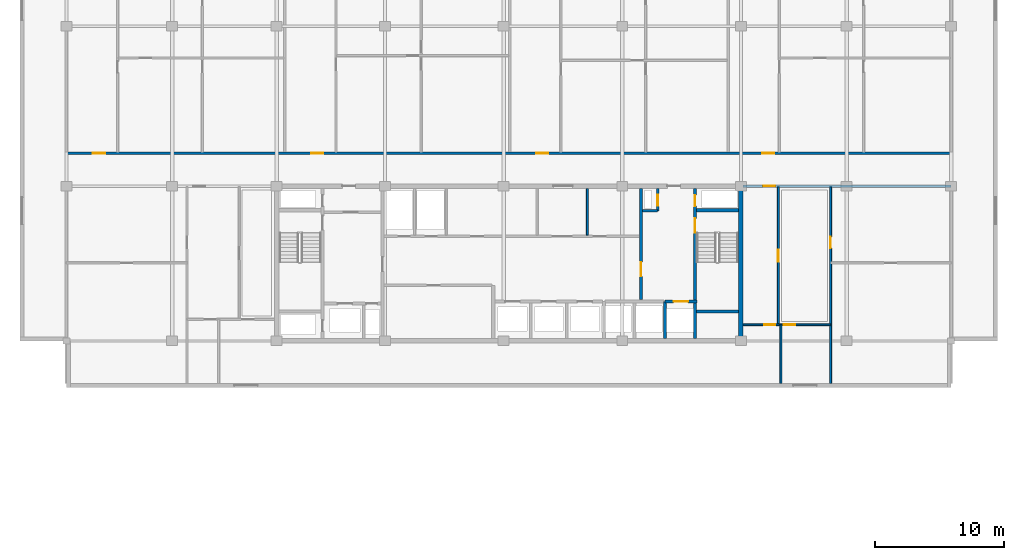
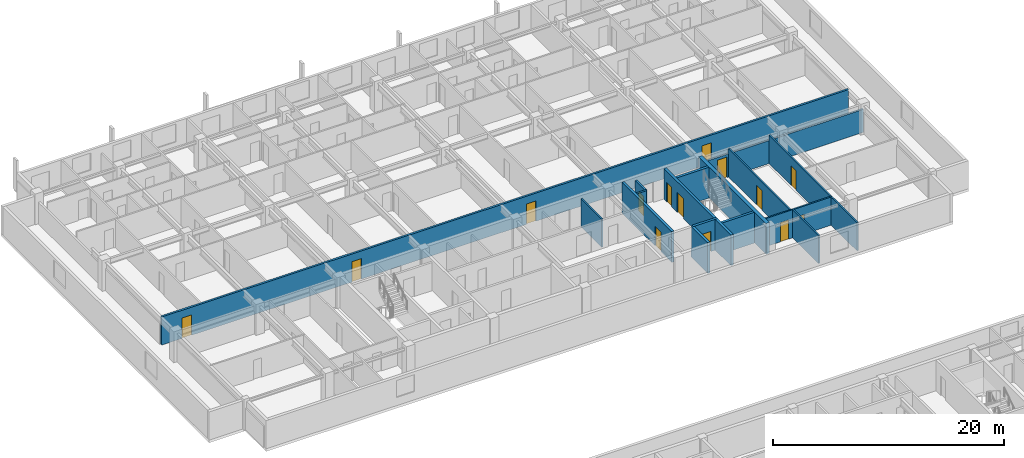
# One storey, part 13 of 24: 16 walls, 14 doors, 14 openings.
"""IFC4 building model written with IfcOpenShell, lengths in metres."""

from ifc_helpers import new_model, si_unit, direction, frame, frame_2d, origin, place, context, subcontext, project, spatial, rectangle, extrude, material, layer, layer_set, type_object, element, fill, save


model = new_model("IFC4")

# Units and contexts
model_context = context("Model", 3, precision=1e-05, world=origin(), true_north=direction((0.0, 1.0)))
body_context = subcontext(model_context, "Body", "Model", "MODEL_VIEW")
ifc_project = project(units=[si_unit("LENGTHUNIT", "METRE"), si_unit("AREAUNIT", "SQUARE_METRE"), si_unit("VOLUMEUNIT", "CUBIC_METRE"), si_unit("PLANEANGLEUNIT", "RADIAN"), si_unit("MASSUNIT", "GRAM", prefix="KILO")], contexts=[model_context])

# Site, building, storey
site_placement = place(None, origin())
site = spatial("IfcSite", under=ifc_project, at=site_placement, CompositionType="ELEMENT")
building_placement = place(site_placement, origin())
building = spatial("IfcBuilding", under=site, at=building_placement, Name="Korimba Cascade Residences", CompositionType="ELEMENT")
storey_placement = place(building_placement, frame((0.0, 0.0, 168.60009765625)))
storey = spatial("IfcBuildingStorey", under=building, at=storey_placement, Name="L48", CompositionType="ELEMENT", Elevation=168.60009765625)

# Wall
ifc_material_1 = material(Name="Concrete C65/80", Category="concrete")
ifc_layer_1 = layer(ifc_material_1, 0.35009765625)
ifc_layer_set_1 = layer_set([ifc_layer_1], Name="Concrete C65/80")
wall_type_1 = type_object("IfcWallType", Name="WAL-CORE-350", PredefinedType="SHEAR", material=ifc_layer_set_1)
wall_1_placement = place(storey_placement, frame((112.074951171875, 55.375, 0.0), z_axis=(0.0, 0.0, 1.0), x_axis=(0.0, 1.0, 0.0)))
element("IfcWall", 1, at=wall_1_placement, inside=storey, type_object=wall_type_1, Name="L48 Core Shear Wall CW-L48-T1-E", PredefinedType="SHEAR", context=body_context, shape_type="SweptSolid", body=[
    extrude(rectangle(XDim=11.64990234375, YDim=0.35009765625, at=frame_2d((5.824951171875, 0.0))), origin(), (0.0, 0.0, 1.0), 3.25),
])

# Wall, opening, door
ifc_material_2 = material(Name="Precast concrete C40/50", Category="concrete")
ifc_layer_2 = layer(ifc_material_2, 0.199951171875)
ifc_layer_set_2 = layer_set([ifc_layer_2], Name="Precast concrete C40/50")
wall_type_2 = type_object("IfcWallType", Name="WAL-IT-200", PredefinedType="PARTITIONING", material=ifc_layer_set_2)
wall_2_placement = place(storey_placement, frame((112.25, 67.199951171875, 0.0), z_axis=(0.0, 0.0, 1.0), x_axis=(1.0, 0.0, 0.0)))
wall_2 = element("IfcWall", 2, at=wall_2_placement, inside=storey, type_object=wall_type_2, Name="L48 Partition Wall WAL-L48-T1-FE-N", PredefinedType="PARTITIONING", context=body_context, shape_type="SweptSolid", body=[
    extrude(rectangle(XDim=16.14990234375, YDim=0.199951171875, at=frame_2d((8.074951171875, 0.0))), origin(), (0.0, 0.0, 1.0), 2.43310546875),
])
opening_1_placement = place(wall_2_placement, frame((1.580078125, 0.0, 0.0)))
opening_1 = element("IfcOpeningElement", 3, at=opening_1_placement, cuts=wall_2, Name="Opening D-UN1", PredefinedType="OPENING", context=body_context, shape_type="SweptSolid", body=[
    extrude(rectangle(XDim=0.949951171875, YDim=2.14990234375, at=frame_2d((0.47509765625, 1.074951171875))), frame((0.0, 0.10986328125, 0.0), z_axis=(0.0, -1.0, 0.0), x_axis=(1.0, 0.0, 0.0)), (0.0, 0.0, 1.0), 0.219970703125),
])
ifc_material_3 = material(Name="Fire-Rated Hardwood Apartment Entrance Door", Category="wood")
door_type_1 = type_object("IfcDoorType", Name="DR-FD60-950", OperationType="NOTDEFINED", PredefinedType="DOOR", material=ifc_material_3)
door_1_placement = place(opening_1_placement, origin())
door_1 = element("IfcDoor", 4, at=door_1_placement, inside=storey, type_object=door_type_1, Name="L48-T1-FE Entrance Door", OperationType="SINGLE_SWING_LEFT", OverallHeight=2.14990234375, OverallWidth=0.949951171875, PredefinedType="DOOR", context=body_context, shape_type="SweptSolid", body=[
    extrude(rectangle(XDim=0.949951171875, YDim=2.14990234375, at=frame_2d((0.47509765625, 1.074951171875))), frame((0.0, 0.02490234375, 0.0), z_axis=(0.0, -1.0, 0.0), x_axis=(1.0, 0.0, 0.0)), (0.0, 0.0, 1.0), 0.050048828125),
])
fill(opening_1, door_1)

# Wall, openings, doors
wall_3_placement = place(storey_placement, frame((59.800048828125, 69.75, 0.0), z_axis=(0.0, 0.0, 1.0), x_axis=(1.0, 0.0, 0.0)))
wall_3 = element("IfcWall", 5, at=wall_3_placement, inside=storey, type_object=wall_type_2, Name="L48 Partition Wall WAL-L48-T1-CORN", PredefinedType="PARTITIONING", context=body_context, shape_type="SweptSolid", body=[
    extrude(rectangle(XDim=68.599853515625, YDim=0.199951171875, at=frame_2d((34.2998046875, 0.0))), origin(), (0.0, 0.0, 1.0), 2.969970703125),
])
opening_2_placement = place(wall_3_placement, frame((2.044921875, 0.0, 0.0)))
opening_2 = element("IfcOpeningElement", 6, at=opening_2_placement, cuts=wall_3, Name="Opening D-UN1", PredefinedType="OPENING", context=body_context, shape_type="SweptSolid", body=[
    extrude(rectangle(XDim=0.949951171875, YDim=2.14990234375, at=frame_2d((0.47509765625, 1.074951171875))), frame((0.0, 0.10986328125, 0.0), z_axis=(0.0, -1.0, 0.0), x_axis=(1.0, 0.0, 0.0)), (0.0, 0.0, 1.0), 0.219970703125),
])
opening_3_placement = place(wall_3_placement, frame((18.97998046875, 0.0, 0.0)))
opening_3 = element("IfcOpeningElement", 7, at=opening_3_placement, cuts=wall_3, Name="Opening D-UN1", PredefinedType="OPENING", context=body_context, shape_type="SweptSolid", body=[
    extrude(rectangle(XDim=0.949951171875, YDim=2.14990234375, at=frame_2d((0.47509765625, 1.074951171875))), frame((0.0, 0.10986328125, 0.0), z_axis=(0.0, -1.0, 0.0), x_axis=(1.0, 0.0, 0.0)), (0.0, 0.0, 1.0), 0.219970703125),
])
opening_4_placement = place(wall_3_placement, frame((36.419921875, 0.0, 0.0)))
opening_4 = element("IfcOpeningElement", 8, at=opening_4_placement, cuts=wall_3, Name="Opening D-UN1", PredefinedType="OPENING", context=body_context, shape_type="SweptSolid", body=[
    extrude(rectangle(XDim=0.949951171875, YDim=2.14990234375, at=frame_2d((0.47509765625, 1.074951171875))), frame((0.0, 0.10986328125, 0.0), z_axis=(0.0, -1.0, 0.0), x_axis=(1.0, 0.0, 0.0)), (0.0, 0.0, 1.0), 0.219970703125),
])
opening_5_placement = place(wall_3_placement, frame((53.93603515625, 0.0, 0.0)))
opening_5 = element("IfcOpeningElement", 9, at=opening_5_placement, cuts=wall_3, Name="Opening D-UN1", PredefinedType="OPENING", context=body_context, shape_type="SweptSolid", body=[
    extrude(rectangle(XDim=0.949951171875, YDim=2.14990234375, at=frame_2d((0.47509765625, 1.074951171875))), frame((0.0, 0.10986328125, 0.0), z_axis=(0.0, -1.0, 0.0), x_axis=(1.0, 0.0, 0.0)), (0.0, 0.0, 1.0), 0.219970703125),
])
door_2_placement = place(opening_2_placement, origin())
door_2 = element("IfcDoor", 10, at=door_2_placement, inside=storey, type_object=door_type_1, Name="Unit L48-T1-U01 Entrance Door", OperationType="SINGLE_SWING_RIGHT", OverallHeight=2.14990234375, OverallWidth=0.949951171875, PredefinedType="DOOR", context=body_context, shape_type="SweptSolid", body=[
    extrude(rectangle(XDim=0.949951171875, YDim=2.14990234375, at=frame_2d((0.47509765625, 1.074951171875))), frame((0.0, 0.02490234375, 0.0), z_axis=(0.0, -1.0, 0.0), x_axis=(1.0, 0.0, 0.0)), (0.0, 0.0, 1.0), 0.050048828125),
])
fill(opening_2, door_2)
door_3_placement = place(opening_3_placement, origin())
door_3 = element("IfcDoor", 11, at=door_3_placement, inside=storey, type_object=door_type_1, Name="Unit L48-T1-U02 Entrance Door", OperationType="SINGLE_SWING_LEFT", OverallHeight=2.14990234375, OverallWidth=0.949951171875, PredefinedType="DOOR", context=body_context, shape_type="SweptSolid", body=[
    extrude(rectangle(XDim=0.949951171875, YDim=2.14990234375, at=frame_2d((0.47509765625, 1.074951171875))), frame((0.0, 0.02490234375, 0.0), z_axis=(0.0, -1.0, 0.0), x_axis=(1.0, 0.0, 0.0)), (0.0, 0.0, 1.0), 0.050048828125),
])
fill(opening_3, door_3)
door_4_placement = place(opening_4_placement, origin())
door_4 = element("IfcDoor", 12, at=door_4_placement, inside=storey, type_object=door_type_1, Name="Unit L48-T1-U03 Entrance Door", OperationType="SINGLE_SWING_RIGHT", OverallHeight=2.14990234375, OverallWidth=0.949951171875, PredefinedType="DOOR", context=body_context, shape_type="SweptSolid", body=[
    extrude(rectangle(XDim=0.949951171875, YDim=2.14990234375, at=frame_2d((0.47509765625, 1.074951171875))), frame((0.0, 0.02490234375, 0.0), z_axis=(0.0, -1.0, 0.0), x_axis=(1.0, 0.0, 0.0)), (0.0, 0.0, 1.0), 0.050048828125),
])
fill(opening_4, door_4)
door_5_placement = place(opening_5_placement, origin())
door_5 = element("IfcDoor", 13, at=door_5_placement, inside=storey, type_object=door_type_1, Name="Unit L48-T1-U04 Entrance Door", OperationType="SINGLE_SWING_LEFT", OverallHeight=2.14990234375, OverallWidth=0.949951171875, PredefinedType="DOOR", context=body_context, shape_type="SweptSolid", body=[
    extrude(rectangle(XDim=0.949951171875, YDim=2.14990234375, at=frame_2d((0.47509765625, 1.074951171875))), frame((0.0, 0.02490234375, 0.0), z_axis=(0.0, -1.0, 0.0), x_axis=(1.0, 0.0, 0.0)), (0.0, 0.0, 1.0), 0.050048828125),
])
fill(opening_5, door_5)

# Wall
ifc_material_4 = material(Name="Insulated Acoustic Stud Partition", Category="gypsum")
ifc_layer_3 = layer(ifc_material_4, 0.14990234375)
ifc_layer_set_3 = layer_set([ifc_layer_3], Name="Insulated Acoustic Stud Partition")
wall_type_3 = type_object("IfcWallType", Name="WAL-PART-150", PredefinedType="PARTITIONING", material=ifc_layer_set_3)
wall_4_placement = place(storey_placement, frame((100.199951171875, 63.39990234375, 0.0), z_axis=(0.0, 0.0, 1.0), x_axis=(0.0, 1.0, 0.0)))
element("IfcWall", 14, at=wall_4_placement, inside=storey, type_object=wall_type_3, Name="L48 Partition Wall CW-L48-T1-THE", PredefinedType="PARTITIONING", context=body_context, shape_type="SweptSolid", body=[
    extrude(rectangle(XDim=3.60009765625, YDim=0.14990234375, at=frame_2d((1.800048828125, 0.0))), origin(), (0.0, 0.0, 1.0), 2.969970703125),
])

# Wall, opening, door
wall_5_placement = place(storey_placement, frame((119.050048828125, 51.89990234375, 0.0), z_axis=(0.0, 0.0, 1.0), x_axis=(0.0, 1.0, 0.0)))
wall_5 = element("IfcWall", 15, at=wall_5_placement, inside=storey, type_object=wall_type_3, Name="L48 Partition Wall WAL-L48-T1-FE-STV", PredefinedType="PARTITIONING", context=body_context, shape_type="SweptSolid", body=[
    extrude(rectangle(XDim=15.25, YDim=0.14990234375, at=frame_2d((7.625, 0.0))), origin(), (0.0, 0.0, 1.0), 2.969970703125),
])
opening_6_placement = place(wall_5_placement, frame((10.5, 0.0, 0.0)))
opening_6 = element("IfcOpeningElement", 16, at=opening_6_placement, cuts=wall_5, Name="Opening D-IN2", PredefinedType="OPENING", context=body_context, shape_type="SweptSolid", body=[
    extrude(rectangle(XDim=0.8798828125, YDim=2.06005859375, at=frame_2d((0.43994140625, 1.030029296875))), frame((0.0, 0.0849609375, 0.0), z_axis=(0.0, -1.0, 0.0), x_axis=(1.0, 0.0, 0.0)), (0.0, 0.0, 1.0), 0.169921875),
])
ifc_material_5 = material(Name="Acoustic Timber Bedroom Door", Category="wood")
door_type_2 = type_object("IfcDoorType", Name="DR-INT-880", OperationType="NOTDEFINED", PredefinedType="DOOR", material=ifc_material_5)
door_6_placement = place(opening_6_placement, origin())
door_6 = element("IfcDoor", 17, at=door_6_placement, inside=storey, type_object=door_type_2, Name="L48-T1-FE Study Door", OperationType="SINGLE_SWING_LEFT", OverallHeight=2.06005859375, OverallWidth=0.8798828125, PredefinedType="DOOR", context=body_context, shape_type="SweptSolid", body=[
    extrude(rectangle(XDim=0.8798828125, YDim=2.06005859375, at=frame_2d((0.43994140625, 1.030029296875))), frame((0.0, 0.02490234375, 0.0), z_axis=(0.0, -1.0, 0.0), x_axis=(1.0, 0.0, 0.0)), (0.0, 0.0, 1.0), 0.050048828125),
])
fill(opening_6, door_6)

wall_6_placement = place(storey_placement, frame((115.0, 56.449951171875, 0.0), z_axis=(0.0, 0.0, 1.0), x_axis=(0.0, 1.0, 0.0)))
wall_6 = element("IfcWall", 18, at=wall_6_placement, inside=storey, type_object=wall_type_3, Name="L48 Partition Wall WAL-L48-T1-FE-VN", PredefinedType="PARTITIONING", context=body_context, shape_type="SweptSolid", body=[
    extrude(rectangle(XDim=10.699951171875, YDim=0.14990234375, at=frame_2d((5.35009765625, 0.0))), origin(), (0.0, 0.0, 1.0), 2.969970703125),
])
opening_7_placement = place(wall_6_placement, frame((4.889892578125, 0.0, 0.0)))
opening_7 = element("IfcOpeningElement", 19, at=opening_7_placement, cuts=wall_6, Name="Opening D-IN1", PredefinedType="OPENING", context=body_context, shape_type="SweptSolid", body=[
    extrude(rectangle(XDim=0.919921875, YDim=2.080078125, at=frame_2d((0.4599609375, 1.0400390625))), frame((0.0, 0.0849609375, 0.0), z_axis=(0.0, -1.0, 0.0), x_axis=(1.0, 0.0, 0.0)), (0.0, 0.0, 1.0), 0.169921875),
])
ifc_material_6 = material(Name="Acoustic Timber Living Door", Category="wood")
door_type_3 = type_object("IfcDoorType", Name="DR-INT-920", OperationType="NOTDEFINED", PredefinedType="DOOR", material=ifc_material_6)
door_7_placement = place(opening_7_placement, origin())
door_7 = element("IfcDoor", 20, at=door_7_placement, inside=storey, type_object=door_type_3, Name="L48-T1-FE Living Door", OperationType="SINGLE_SWING_RIGHT", OverallHeight=2.080078125, OverallWidth=0.919921875, PredefinedType="DOOR", context=body_context, shape_type="SweptSolid", body=[
    extrude(rectangle(XDim=0.919921875, YDim=2.080078125, at=frame_2d((0.4599609375, 1.0400390625))), frame((0.0, 0.02490234375, 0.0), z_axis=(0.0, -1.0, 0.0), x_axis=(1.0, 0.0, 0.0)), (0.0, 0.0, 1.0), 0.050048828125),
])
fill(opening_7, door_7)

# Wall
wall_7_placement = place(storey_placement, frame((115.199951171875, 51.89990234375, 0.0), z_axis=(0.0, 0.0, 1.0), x_axis=(0.0, 1.0, 0.0)))
element("IfcWall", 21, at=wall_7_placement, inside=storey, type_object=wall_type_3, Name="L48 Partition Wall WAL-L48-T1-FE-VS", PredefinedType="PARTITIONING", context=body_context, shape_type="SweptSolid", body=[
    extrude(rectangle(XDim=4.550048828125, YDim=0.14990234375, at=frame_2d((2.27490234375, 0.0))), origin(), (0.0, 0.0, 1.0), 2.969970703125),
])

# Wall, openings, doors
wall_8_placement = place(storey_placement, frame((112.27001953125, 56.449951171875, 0.0), z_axis=(0.0, 0.0, 1.0), x_axis=(1.0, 0.0, 0.0)))
wall_8 = element("IfcWall", 22, at=wall_8_placement, inside=storey, type_object=wall_type_3, Name="L48 Partition Wall WAL-L48-T1-FE-H", PredefinedType="PARTITIONING", context=body_context, shape_type="SweptSolid", body=[
    extrude(rectangle(XDim=6.760009765625, YDim=0.14990234375, at=frame_2d((3.3798828125, 0.0))), origin(), (0.0, 0.0, 1.0), 2.969970703125),
])
opening_8_placement = place(wall_8_placement, frame((1.6396484375, 0.0, 0.0)))
opening_8 = element("IfcOpeningElement", 23, at=opening_8_placement, cuts=wall_8, Name="Opening D-BT1", PredefinedType="OPENING", context=body_context, shape_type="SweptSolid", body=[
    extrude(rectangle(XDim=0.840087890625, YDim=2.0400390625, at=frame_2d((0.419921875, 1.02001953125))), frame((0.0, 0.0849609375, 0.0), z_axis=(0.0, -1.0, 0.0), x_axis=(1.0, 0.0, 0.0)), (0.0, 0.0, 1.0), 0.169921875),
])
opening_9_placement = place(wall_8_placement, frame((3.160400390625, 0.0, 0.0)))
opening_9 = element("IfcOpeningElement", 24, at=opening_9_placement, cuts=wall_8, Name="Opening D-IN2", PredefinedType="OPENING", context=body_context, shape_type="SweptSolid", body=[
    extrude(rectangle(XDim=0.8798828125, YDim=2.06005859375, at=frame_2d((0.43994140625, 1.030029296875))), frame((0.0, 0.0849609375, 0.0), z_axis=(0.0, -1.0, 0.0), x_axis=(1.0, 0.0, 0.0)), (0.0, 0.0, 1.0), 0.169921875),
])
ifc_material_7 = material(Name="Moisture-Resistant Bathroom Timber Door", Category="wood")
door_type_4 = type_object("IfcDoorType", Name="DR-INT-850", OperationType="NOTDEFINED", PredefinedType="DOOR", material=ifc_material_7)
door_8_placement = place(opening_8_placement, origin())
door_8 = element("IfcDoor", 25, at=door_8_placement, inside=storey, type_object=door_type_4, Name="L48-T1-FE Bathroom Door", OperationType="SINGLE_SWING_LEFT", OverallHeight=2.0400390625, OverallWidth=0.840087890625, PredefinedType="DOOR", context=body_context, shape_type="SweptSolid", body=[
    extrude(rectangle(XDim=0.840087890625, YDim=2.0400390625, at=frame_2d((0.419921875, 1.02001953125))), frame((0.0, 0.02490234375, 0.0), z_axis=(0.0, -1.0, 0.0), x_axis=(1.0, 0.0, 0.0)), (0.0, 0.0, 1.0), 0.050048828125),
])
fill(opening_8, door_8)
door_9_placement = place(opening_9_placement, origin())
door_9 = element("IfcDoor", 26, at=door_9_placement, inside=storey, type_object=door_type_2, Name="L48-T1-FE Bedroom Door", OperationType="SINGLE_SWING_RIGHT", OverallHeight=2.06005859375, OverallWidth=0.8798828125, PredefinedType="DOOR", context=body_context, shape_type="SweptSolid", body=[
    extrude(rectangle(XDim=0.8798828125, YDim=2.06005859375, at=frame_2d((0.43994140625, 1.030029296875))), frame((0.0, 0.02490234375, 0.0), z_axis=(0.0, -1.0, 0.0), x_axis=(1.0, 0.0, 0.0)), (0.0, 0.0, 1.0), 0.050048828125),
])
fill(opening_9, door_9)

# Wall
ifc_material_8 = material(Name="Concrete C40/50", Category="concrete")
ifc_layer_4 = layer(ifc_material_8, 0.199951171875)
ifc_layer_set_4 = layer_set([ifc_layer_4], Name="Concrete C40/50")
wall_type_4 = type_object("IfcWallType", Name="WAL-PART-200", PredefinedType="PARTITIONING", material=ifc_layer_set_4)
wall_9_placement = place(storey_placement, frame((104.449951171875, 65.280029296875, 0.0), z_axis=(0.0, 0.0, 1.0), x_axis=(1.0, 0.0, 0.0)))
element("IfcWall", 27, at=wall_9_placement, inside=storey, type_object=wall_type_4, Name="L48 Partition Wall CW-L48-T1-HYDW2S", PredefinedType="PARTITIONING", context=body_context, shape_type="SweptSolid", body=[
    extrude(rectangle(XDim=1.199951171875, YDim=0.199951171875, at=frame_2d((0.60009765625, 0.0))), origin(), (0.0, 0.0, 1.0), 2.969970703125),
])

# Wall, opening, door
wall_10_placement = place(storey_placement, frame((105.64990234375, 65.280029296875, 0.0), z_axis=(0.0, 0.0, 1.0), x_axis=(0.0, 1.0, 0.0)))
wall_10 = element("IfcWall", 28, at=wall_10_placement, inside=storey, type_object=wall_type_4, Name="L48 Partition Wall CW-L48-T1-HYDW2E", PredefinedType="PARTITIONING", context=body_context, shape_type="SweptSolid", body=[
    extrude(rectangle(XDim=1.719970703125, YDim=0.199951171875, at=frame_2d((0.85986328125, 0.0))), origin(), (0.0, 0.0, 1.0), 2.969970703125),
])
opening_10_placement = place(wall_10_placement, frame((0.39990234375, 0.0, 0.0)))
opening_10 = element("IfcOpeningElement", 29, at=opening_10_placement, cuts=wall_10, Name="Opening D-RS1", PredefinedType="OPENING", context=body_context, shape_type="SweptSolid", body=[
    extrude(rectangle(XDim=0.85009765625, YDim=2.050048828125, at=frame_2d((0.425048828125, 1.02490234375))), frame((0.0, 0.10986328125, 0.0), z_axis=(0.0, -1.0, 0.0), x_axis=(1.0, 0.0, 0.0)), (0.0, 0.0, 1.0), 0.219970703125),
])
ifc_material_9 = material(Name="Fire-Rated Steel Riser Access Door", Category="steel")
door_type_5 = type_object("IfcDoorType", Name="DR-FD60-850", OperationType="NOTDEFINED", PredefinedType="DOOR", material=ifc_material_9)
door_10_placement = place(opening_10_placement, origin())
door_10 = element("IfcDoor", 30, at=door_10_placement, inside=storey, type_object=door_type_5, Name="L48 East Hydrant Door", OperationType="SINGLE_SWING_RIGHT", OverallHeight=2.050048828125, OverallWidth=0.85009765625, PredefinedType="DOOR", context=body_context, shape_type="SweptSolid", body=[
    extrude(rectangle(XDim=0.85009765625, YDim=2.050048828125, at=frame_2d((0.425048828125, 1.02490234375))), frame((0.0, 0.02490234375, 0.0), z_axis=(0.0, -1.0, 0.0), x_axis=(1.0, 0.0, 0.0)), (0.0, 0.0, 1.0), 0.050048828125),
])
fill(opening_10, door_10)

# Wall
ifc_material_10 = material(Name="Concrete C50/60", Category="concrete")
ifc_layer_5 = layer(ifc_material_10, 0.25)
ifc_layer_set_5 = layer_set([ifc_layer_5], Name="Concrete C50/60")
wall_type_5 = type_object("IfcWallType", Name="WAL-SHAFT-250", PredefinedType="SHEAR", material=ifc_layer_set_5)
wall_11_placement = place(storey_placement, frame((106.219970703125, 55.39990234375, 0.0), z_axis=(0.0, 0.0, 1.0), x_axis=(0.0, 1.0, 0.0)))
element("IfcWall", 31, at=wall_11_placement, inside=storey, type_object=wall_type_5, Name="L48 Core Shear Wall CW-L48-T1-FF2W", PredefinedType="SHEAR", context=body_context, shape_type="SweptSolid", body=[
    extrude(rectangle(XDim=2.85009765625, YDim=0.25, at=frame_2d((1.425048828125, 0.0))), origin(), (0.0, 0.0, 1.0), 3.25),
])

# Wall, opening, door
wall_12_placement = place(storey_placement, frame((106.219970703125, 58.25, 0.0), z_axis=(0.0, 0.0, 1.0), x_axis=(1.0, 0.0, 0.0)))
wall_12 = element("IfcWall", 32, at=wall_12_placement, inside=storey, type_object=wall_type_5, Name="L48 Core Shear Wall CW-L48-T1-FF2N", PredefinedType="SHEAR", context=body_context, shape_type="SweptSolid", body=[
    extrude(rectangle(XDim=2.4599609375, YDim=0.25, at=frame_2d((1.22998046875, 0.0))), origin(), (0.0, 0.0, 1.0), 3.25),
])
opening_11_placement = place(wall_12_placement, frame((0.669921875, 0.0, 0.0)))
opening_11 = element("IfcOpeningElement", 33, at=opening_11_placement, cuts=wall_12, Name="Opening LD-01", PredefinedType="OPENING", context=body_context, shape_type="SweptSolid", body=[
    extrude(rectangle(XDim=1.1201171875, YDim=2.1201171875, at=frame_2d((0.56005859375, 1.06005859375))), frame((0.0, 0.135009765625, 0.0), z_axis=(0.0, -1.0, 0.0), x_axis=(1.0, 0.0, 0.0)), (0.0, 0.0, 1.0), 0.27001953125),
])
ifc_material_11 = material(Name="Stainless Steel Lift Landing Sliding Door", Category="steel")
door_type_6 = type_object("IfcDoorType", Name="DR-LIFT-1100", OperationType="NOTDEFINED", PredefinedType="DOOR", material=ifc_material_11)
door_11_placement = place(opening_11_placement, origin())
door_11 = element("IfcDoor", 34, at=door_11_placement, inside=storey, type_object=door_type_6, Name="L48 Firefighting Lift Landing Door FFL-W2", OperationType="SLIDING_TO_RIGHT", OverallHeight=2.1201171875, OverallWidth=1.1201171875, PredefinedType="DOOR", context=body_context, shape_type="SweptSolid", body=[
    extrude(rectangle(XDim=1.1201171875, YDim=2.1201171875, at=frame_2d((0.56005859375, 1.06005859375))), frame((0.0, 0.02490234375, 0.0), z_axis=(0.0, -1.0, 0.0), x_axis=(1.0, 0.0, 0.0)), (0.0, 0.0, 1.0), 0.050048828125),
])
fill(opening_11, door_11)

wall_13_placement = place(storey_placement, frame((104.35009765625, 58.39990234375, 0.0), z_axis=(0.0, 0.0, 1.0), x_axis=(0.0, 1.0, 0.0)))
wall_13 = element("IfcWall", 35, at=wall_13_placement, inside=storey, type_object=wall_type_5, Name="L48 Core Shear Wall CW-L48-T1-LLEV", PredefinedType="SHEAR", context=body_context, shape_type="SweptSolid", body=[
    extrude(rectangle(XDim=8.60009765625, YDim=0.25, at=frame_2d((4.300048828125, 0.0))), origin(), (0.0, 0.0, 1.0), 3.25),
])
opening_12_placement = place(wall_13_placement, frame((1.800048828125, 0.0, 0.0)))
opening_12 = element("IfcOpeningElement", 36, at=opening_12_placement, cuts=wall_13, Name="Opening D-FD1", PredefinedType="OPENING", context=body_context, shape_type="SweptSolid", body=[
    extrude(rectangle(XDim=1.10009765625, YDim=2.10009765625, at=frame_2d((0.550048828125, 1.050048828125))), frame((0.0, 0.135009765625, 0.0), z_axis=(0.0, -1.0, 0.0), x_axis=(1.0, 0.0, 0.0)), (0.0, 0.0, 1.0), 0.27001953125),
])
ifc_material_12 = material(Name="Fire-Rated Steel Core Door", Category="steel")
door_type_7 = type_object("IfcDoorType", Name="DR-FD120-1100", OperationType="NOTDEFINED", PredefinedType="DOOR", material=ifc_material_12)
door_12_placement = place(opening_12_placement, origin())
door_12 = element("IfcDoor", 37, at=door_12_placement, inside=storey, type_object=door_type_7, Name="L48 Lift Lobby to East Firefighting Lobby Door", OperationType="SINGLE_SWING_LEFT", OverallHeight=2.10009765625, OverallWidth=1.10009765625, PredefinedType="DOOR", context=body_context, shape_type="SweptSolid", body=[
    extrude(rectangle(XDim=1.10009765625, YDim=2.10009765625, at=frame_2d((0.550048828125, 1.050048828125))), frame((0.0, 0.02490234375, 0.0), z_axis=(0.0, -1.0, 0.0), x_axis=(1.0, 0.0, 0.0)), (0.0, 0.0, 1.0), 0.050048828125),
])
fill(opening_12, door_12)

# Wall, openings, doors
wall_14_placement = place(storey_placement, frame((108.534912109375, 55.39990234375, 0.0), z_axis=(0.0, 0.0, 1.0), x_axis=(0.0, 1.0, 0.0)))
wall_14 = element("IfcWall", 38, at=wall_14_placement, inside=storey, type_object=wall_type_5, Name="L48 Core Shear Wall CW-L48-T1-STW2W", PredefinedType="SHEAR", context=body_context, shape_type="SweptSolid", body=[
    extrude(rectangle(XDim=11.60009765625, YDim=0.25, at=frame_2d((5.800048828125, 0.0))), origin(), (0.0, 0.0, 1.0), 3.25),
])
opening_13_placement = place(wall_14_placement, frame((8.199951171875, 0.0, 0.0)))
opening_13 = element("IfcOpeningElement", 39, at=opening_13_placement, cuts=wall_14, Name="Opening D-FD1", PredefinedType="OPENING", context=body_context, shape_type="SweptSolid", body=[
    extrude(rectangle(XDim=1.10009765625, YDim=2.10009765625, at=frame_2d((0.550048828125, 1.050048828125))), frame((0.0, 0.135009765625, 0.0), z_axis=(0.0, -1.0, 0.0), x_axis=(1.0, 0.0, 0.0)), (0.0, 0.0, 1.0), 0.27001953125),
])
opening_14_placement = place(wall_14_placement, frame((10.25, 0.0, 0.0)))
opening_14 = element("IfcOpeningElement", 40, at=opening_14_placement, cuts=wall_14, Name="Opening D-RS1", PredefinedType="OPENING", context=body_context, shape_type="SweptSolid", body=[
    extrude(rectangle(XDim=0.85009765625, YDim=2.050048828125, at=frame_2d((0.425048828125, 1.02490234375))), frame((0.0, 0.135009765625, 0.0), z_axis=(0.0, -1.0, 0.0), x_axis=(1.0, 0.0, 0.0)), (0.0, 0.0, 1.0), 0.27001953125),
])
door_13_placement = place(opening_13_placement, origin())
door_13 = element("IfcDoor", 41, at=door_13_placement, inside=storey, type_object=door_type_7, Name="L48 Fire Stair ST-W2 Door", OperationType="SINGLE_SWING_RIGHT", OverallHeight=2.10009765625, OverallWidth=1.10009765625, PredefinedType="DOOR", context=body_context, shape_type="SweptSolid", body=[
    extrude(rectangle(XDim=1.10009765625, YDim=2.10009765625, at=frame_2d((0.550048828125, 1.050048828125))), frame((0.0, 0.02490234375, 0.0), z_axis=(0.0, -1.0, 0.0), x_axis=(1.0, 0.0, 0.0)), (0.0, 0.0, 1.0), 0.050048828125),
])
fill(opening_13, door_13)
door_14_placement = place(opening_14_placement, origin())
door_14 = element("IfcDoor", 42, at=door_14_placement, inside=storey, type_object=door_type_5, Name="L48 East Riser Door", OperationType="SINGLE_SWING_LEFT", OverallHeight=2.050048828125, OverallWidth=0.85009765625, PredefinedType="DOOR", context=body_context, shape_type="SweptSolid", body=[
    extrude(rectangle(XDim=0.85009765625, YDim=2.050048828125, at=frame_2d((0.425048828125, 1.02490234375))), frame((0.0, 0.02490234375, 0.0), z_axis=(0.0, -1.0, 0.0), x_axis=(1.0, 0.0, 0.0)), (0.0, 0.0, 1.0), 0.050048828125),
])
fill(opening_14, door_14)

# Walls
for number, where, z_axis, x_axis, name in (
    (43, (108.659912109375, 57.47509765625, 0.0), (0.0, 0.0, 1.0), (1.0, 0.0, 0.0), "L48 Core Shear Wall CW-L48-T1-STW2S"),
    (44, (108.659912109375, 65.324951171875, 0.0), (0.0, 0.0, 1.0), (1.0, 0.0, 0.0), "L48 Core Shear Wall CW-L48-T1-STW2N"),
):
    element("IfcWall", number, at=place(storey_placement, frame(where, z_axis=z_axis, x_axis=x_axis)), inside=storey, type_object=wall_type_5, Name=name, PredefinedType="SHEAR", context=body_context, shape_type="SweptSolid", body=[
        extrude(rectangle(XDim=3.239990234375, YDim=0.25, at=frame_2d((1.6201171875, 0.0))), origin(), (0.0, 0.0, 1.0), 3.25),
    ])

save(model, "model.ifc")
